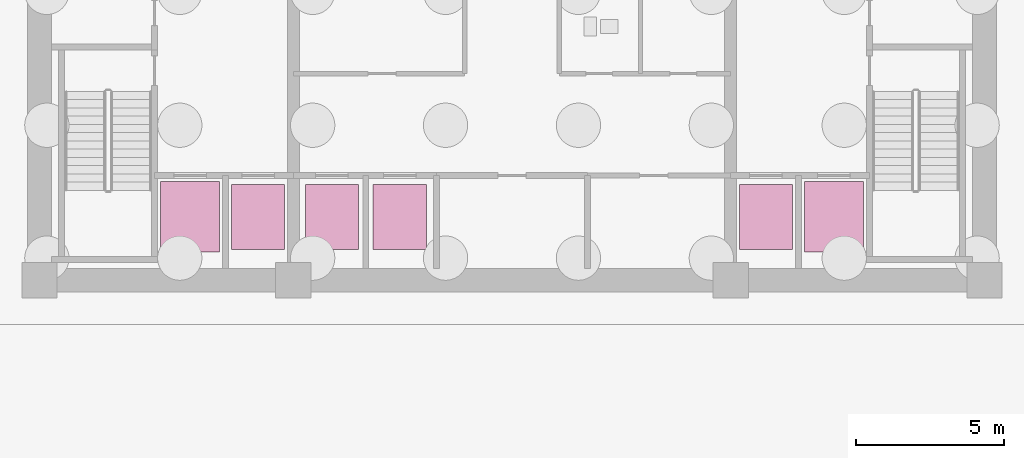
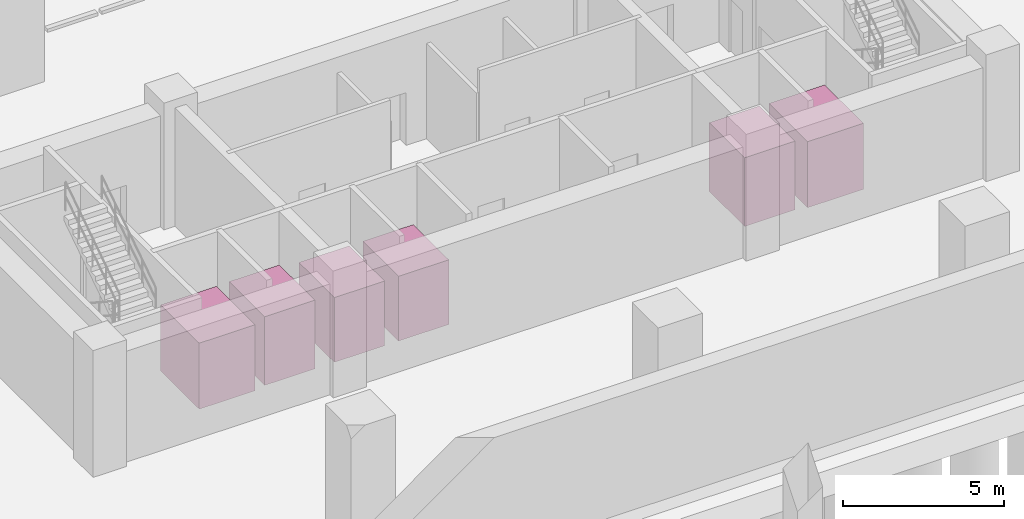
# One storey, part 8 of 8: 6 transport elements.
"""IFC4 building model written with IfcOpenShell, lengths in metres."""

from ifc_helpers import new_model, si_unit, direction, frame, origin, origin_2d, place, context, subcontext, project, spatial, rectangle, extrude, material, type_object, element, save


model = new_model("IFC4")

# Units and contexts
model_context = context("Model", 3, precision=1e-05, world=origin(), true_north=direction((0.0, 1.0)))
body_context = subcontext(model_context, "Body", "Model", "MODEL_VIEW")
ifc_project = project(units=[si_unit("LENGTHUNIT", "METRE"), si_unit("AREAUNIT", "SQUARE_METRE"), si_unit("VOLUMEUNIT", "CUBIC_METRE"), si_unit("PLANEANGLEUNIT", "RADIAN"), si_unit("MASSUNIT", "GRAM", prefix="KILO")], contexts=[model_context])

# Site, building, storey
site_placement = place(None, origin())
site = spatial("IfcSite", under=ifc_project, at=site_placement, CompositionType="ELEMENT")
building_placement = place(site_placement, origin())
building = spatial("IfcBuilding", under=site, at=building_placement, Name="Solmavex Isthmus Hotel", CompositionType="ELEMENT")
storey_placement = place(building_placement, frame((0.0, 0.0, -10.0)))
storey = spatial("IfcBuildingStorey", under=building, at=storey_placement, Name="B02", CompositionType="ELEMENT", Elevation=-10.0)

# Transport elements
ifc_material = material(Name="Stainless steel 316", Category="steel")
transport_element_type_1 = type_object("IfcTransportElementType", Name="LFT-FFL-1800", PredefinedType="ELEVATOR", material=ifc_material)
for number, where, z_axis, x_axis, name in (
    (1, (-10.89990234375, -10.85009765625, 0.0), (0.0, 0.0, 1.0), (1.0, 0.0, 0.0), "Firefighting Lift FFL-1"),
    (2, (10.89990234375, -10.85009765625, 0.0), (0.0, 0.0, 1.0), (1.0, 0.0, 0.0), "Firefighting Lift FFL-2"),
):
    element("IfcTransportElement", number, at=place(storey_placement, frame(where, z_axis=z_axis, x_axis=x_axis)), inside=storey, type_object=transport_element_type_1, Name=name, PredefinedType="ELEVATOR", context=body_context, shape_type="SweptSolid", body=[
        extrude(rectangle(XDim=2.0, YDim=2.39990234375, at=origin_2d()), origin(), (0.0, 0.0, 1.0), 2.5),
    ])
transport_element_type_2 = type_object("IfcTransportElementType", Name="LFT-PAS-1600", PredefinedType="ELEVATOR", material=ifc_material)
for number, where, z_axis, x_axis, name in (
    (3, (-6.10009765625, -10.85009765625, 0.0), (0.0, 0.0, 1.0), (1.0, 0.0, 0.0), "Low-Rise Passenger Lift PL-L1"),
    (4, (-3.800048828125, -10.85009765625, 0.0), (0.0, 0.0, 1.0), (1.0, 0.0, 0.0), "Low-Rise Passenger Lift PL-L2"),
):
    element("IfcTransportElement", number, at=place(storey_placement, frame(where, z_axis=z_axis, x_axis=x_axis)), inside=storey, type_object=transport_element_type_2, Name=name, PredefinedType="ELEVATOR", context=body_context, shape_type="SweptSolid", body=[
        extrude(rectangle(XDim=1.800048828125, YDim=2.199951171875, at=origin_2d()), origin(), (0.0, 0.0, 1.0), 2.449951171875),
    ])
transport_element_type_3 = type_object("IfcTransportElementType", Name="LFT-SVL-2000", PredefinedType="ELEVATOR", material=ifc_material)
for number, where, z_axis, x_axis, name in (
    (5, (-8.60009765625, -10.85009765625, 0.0), (0.0, 0.0, 1.0), (1.0, 0.0, 0.0), "Service Lift SVL-1"),
    (6, (8.60009765625, -10.85009765625, 0.0), (0.0, 0.0, 1.0), (1.0, 0.0, 0.0), "Service Lift SVL-2"),
):
    element("IfcTransportElement", number, at=place(storey_placement, frame(where, z_axis=z_axis, x_axis=x_axis)), inside=storey, type_object=transport_element_type_3, Name=name, PredefinedType="ELEVATOR", context=body_context, shape_type="SweptSolid", body=[
        extrude(rectangle(XDim=1.800048828125, YDim=2.199951171875, at=origin_2d()), origin(), (0.0, 0.0, 1.0), 2.60009765625),
    ])

save(model, "model.ifc")
